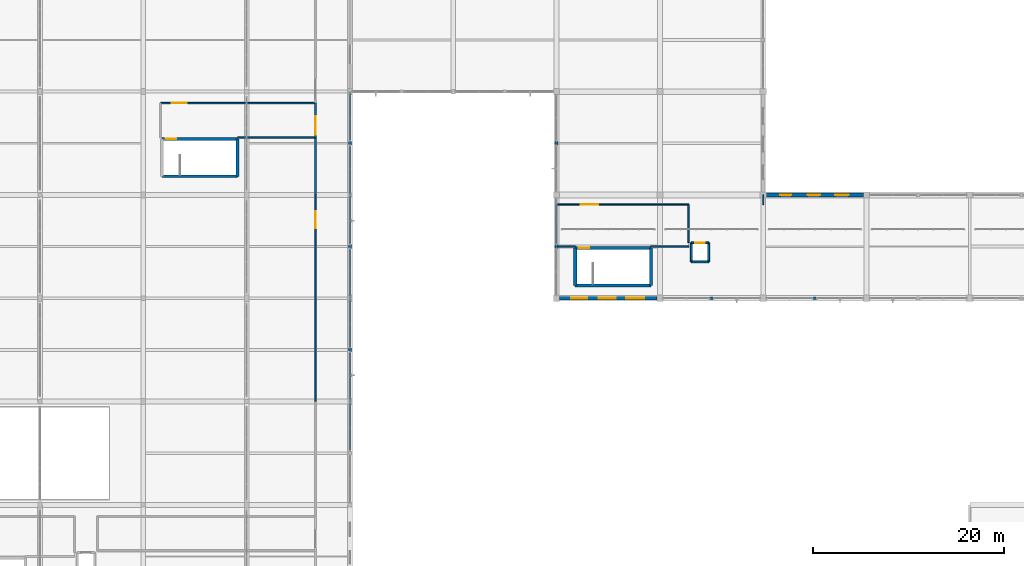
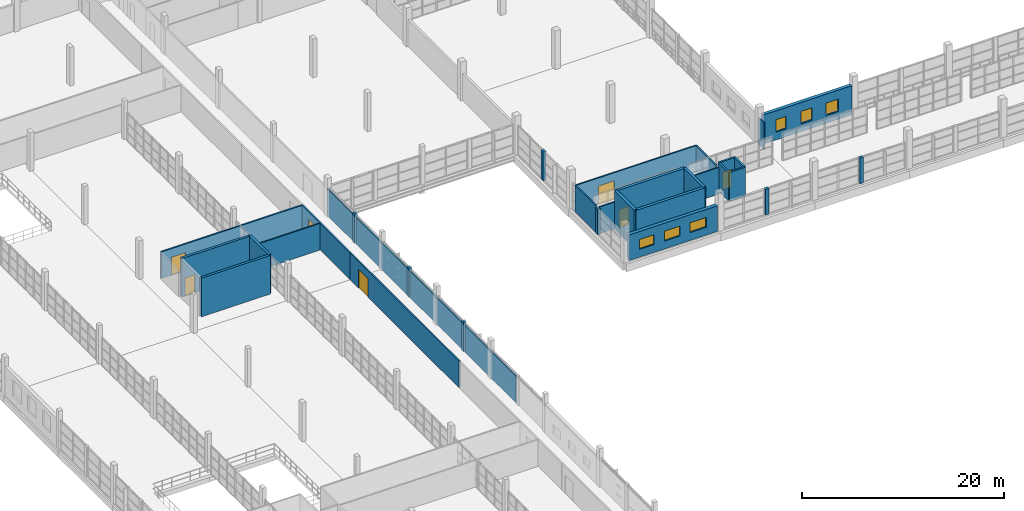
# One storey, part 104 of 142: 35 walls, 7 doors, 6 windows, 13 openings.
"""IFC4 building model written with IfcOpenShell, lengths in metres."""

from ifc_helpers import new_model, si_unit, direction, frame, frame_2d, origin, place, context, subcontext, project, spatial, rectangle, extrude, material, layer, layer_set, type_object, element, fill, save


model = new_model("IFC4")

# Units and contexts
model_context = context("Model", 3, precision=1e-05, world=origin(), true_north=direction((0.0, 1.0)))
body_context = subcontext(model_context, "Body", "Model", "MODEL_VIEW")
ifc_project = project(units=[si_unit("LENGTHUNIT", "METRE"), si_unit("AREAUNIT", "SQUARE_METRE"), si_unit("VOLUMEUNIT", "CUBIC_METRE"), si_unit("PLANEANGLEUNIT", "RADIAN"), si_unit("MASSUNIT", "GRAM", prefix="KILO")], contexts=[model_context])

# Site, building, storey
site_placement = place(None, origin())
site = spatial("IfcSite", under=ifc_project, at=site_placement, CompositionType="ELEMENT")
building_placement = place(site_placement, origin())
building = spatial("IfcBuilding", under=site, at=building_placement, Name="Zwinboog Wholesale Market", CompositionType="ELEMENT")
storey_placement = place(building_placement, frame((0.0, 0.0, 5.39990234375)))
storey = spatial("IfcBuildingStorey", under=building, at=storey_placement, Name="L01", CompositionType="ELEMENT", Elevation=5.39990234375)

# Wall, openings, windows
ifc_material_1 = material(Name="Precast concrete C45/55", Category="concrete")
ifc_layer_1 = layer(ifc_material_1, 0.389892578125)
ifc_layer_set_1 = layer_set([ifc_layer_1], Name="Precast concrete C45/55")
wall_type_1 = type_object("IfcWallType", Name="WT-EW-390", PredefinedType="STANDARD", material=ifc_layer_set_1)
wall_1_placement = place(storey_placement, frame((65.1201171875, 43.199951171875, 0.0), z_axis=(0.0, 0.0, 1.0), x_axis=(1.0, 0.0, 0.0)))
wall_1 = element("IfcWall", 1, at=wall_1_placement, inside=storey, type_object=wall_type_1, Name="EW-02 (WL-EW-L01-119)", PredefinedType="STANDARD", context=body_context, shape_type="SweptSolid", body=[
    extrude(rectangle(XDim=10.159912109375, YDim=0.389892578125, at=frame_2d((5.080078125, 0.0))), origin(), (0.0, 0.0, 1.0), 3.1201171875),
])
opening_1_placement = place(wall_1_placement, frame((1.22509765625, 0.0, 0.949951171875)))
opening_1 = element("IfcOpeningElement", 2, at=opening_1_placement, cuts=wall_1, Name="Opening WN-22", PredefinedType="OPENING", context=body_context, shape_type="SweptSolid", body=[
    extrude(rectangle(XDim=1.64990234375, YDim=1.199951171875, at=frame_2d((0.824951171875, 0.60009765625))), frame((0.0, 0.204833984375, 0.0), z_axis=(0.0, -1.0, 0.0), x_axis=(1.0, 0.0, 0.0)), (0.0, 0.0, 1.0), 0.409912109375),
])
opening_2_placement = place(wall_1_placement, frame((4.094970703125, 0.0, 0.949951171875)))
opening_2 = element("IfcOpeningElement", 3, at=opening_2_placement, cuts=wall_1, Name="Opening WN-23", PredefinedType="OPENING", context=body_context, shape_type="SweptSolid", body=[
    extrude(rectangle(XDim=1.77001953125, YDim=1.199951171875, at=frame_2d((0.885009765625, 0.60009765625))), frame((0.0, 0.204833984375, 0.0), z_axis=(0.0, -1.0, 0.0), x_axis=(1.0, 0.0, 0.0)), (0.0, 0.0, 1.0), 0.409912109375),
])
opening_3_placement = place(wall_1_placement, frame((6.965087890625, 0.0, 0.949951171875)))
opening_3 = element("IfcOpeningElement", 4, at=opening_3_placement, cuts=wall_1, Name="Opening WN-24", PredefinedType="OPENING", context=body_context, shape_type="SweptSolid", body=[
    extrude(rectangle(XDim=1.889892578125, YDim=1.199951171875, at=frame_2d((0.94482421875, 0.60009765625))), frame((0.0, 0.204833984375, 0.0), z_axis=(0.0, -1.0, 0.0), x_axis=(1.0, 0.0, 0.0)), (0.0, 0.0, 1.0), 0.409912109375),
])
ifc_material_2 = material(Name="Thermally broken aluminium low-e window", Category="aluminium")
window_type_1 = type_object("IfcWindowType", Name="WNT-22", PartitioningType="SINGLE_PANEL", PredefinedType="WINDOW", material=ifc_material_2)
window_1_placement = place(opening_1_placement, frame((1.64990234375, 0.0, 0.0), z_axis=(0.0, 0.0, 1.0), x_axis=(-1.0, 0.0, 0.0)))
window_1 = element("IfcWindow", 5, at=window_1_placement, inside=storey, type_object=window_type_1, Name="WN-22 (WIN-L01-0094)", OverallHeight=1.199951171875, OverallWidth=1.64990234375, PartitioningType="SINGLE_PANEL", PredefinedType="WINDOW", context=body_context, shape_type="SweptSolid", body=[
    extrude(rectangle(XDim=1.64990234375, YDim=1.199951171875, at=frame_2d((0.824951171875, 0.60009765625))), frame((0.0, 0.030029296875, 0.0), z_axis=(0.0, -1.0, 0.0), x_axis=(1.0, 0.0, 0.0)), (0.0, 0.0, 1.0), 0.06005859375),
])
fill(opening_1, window_1)
window_type_2 = type_object("IfcWindowType", Name="WNT-23", PartitioningType="SINGLE_PANEL", PredefinedType="WINDOW", material=ifc_material_2)
window_2_placement = place(opening_2_placement, frame((1.77001953125, 0.0, 0.0), z_axis=(0.0, 0.0, 1.0), x_axis=(-1.0, 0.0, 0.0)))
window_2 = element("IfcWindow", 6, at=window_2_placement, inside=storey, type_object=window_type_2, Name="WN-23 (WIN-L01-0095)", OverallHeight=1.199951171875, OverallWidth=1.77001953125, PartitioningType="SINGLE_PANEL", PredefinedType="WINDOW", context=body_context, shape_type="SweptSolid", body=[
    extrude(rectangle(XDim=1.77001953125, YDim=1.199951171875, at=frame_2d((0.885009765625, 0.60009765625))), frame((0.0, 0.030029296875, 0.0), z_axis=(0.0, -1.0, 0.0), x_axis=(1.0, 0.0, 0.0)), (0.0, 0.0, 1.0), 0.06005859375),
])
fill(opening_2, window_2)
window_type_3 = type_object("IfcWindowType", Name="WNT-24", PartitioningType="SINGLE_PANEL", PredefinedType="WINDOW", material=ifc_material_2)
window_3_placement = place(opening_3_placement, frame((1.889892578125, 0.0, 0.0), z_axis=(0.0, 0.0, 1.0), x_axis=(-1.0, 0.0, 0.0)))
window_3 = element("IfcWindow", 7, at=window_3_placement, inside=storey, type_object=window_type_3, Name="WN-24 (WIN-L01-0096)", OverallHeight=1.199951171875, OverallWidth=1.889892578125, PartitioningType="SINGLE_PANEL", PredefinedType="WINDOW", context=body_context, shape_type="SweptSolid", body=[
    extrude(rectangle(XDim=1.889892578125, YDim=1.199951171875, at=frame_2d((0.94482421875, 0.60009765625))), frame((0.0, 0.030029296875, 0.0), z_axis=(0.0, -1.0, 0.0), x_axis=(1.0, 0.0, 0.0)), (0.0, 0.0, 1.0), 0.06005859375),
])
fill(opening_3, window_3)

wall_2_placement = place(storey_placement, frame((86.719970703125, 54.0, 0.0), z_axis=(0.0, 0.0, 1.0), x_axis=(1.0, 0.0, 0.0)))
wall_2 = element("IfcWall", 8, at=wall_2_placement, inside=storey, type_object=wall_type_1, Name="EW-02 (WL-EW-L01-129)", PredefinedType="STANDARD", context=body_context, shape_type="SweptSolid", body=[
    extrude(rectangle(XDim=10.159912109375, YDim=0.389892578125, at=frame_2d((5.080078125, 0.0))), origin(), (0.0, 0.0, 1.0), 3.530029296875),
])
opening_4_placement = place(wall_2_placement, frame((1.465087890625, 0.0, 0.949951171875)))
opening_4 = element("IfcOpeningElement", 9, at=opening_4_placement, cuts=wall_2, Name="Opening WN-34", PredefinedType="OPENING", context=body_context, shape_type="SweptSolid", body=[
    extrude(rectangle(XDim=1.169921875, YDim=1.5, at=frame_2d((0.5849609375, 0.75))), frame((0.0, 0.204833984375, 0.0), z_axis=(0.0, -1.0, 0.0), x_axis=(1.0, 0.0, 0.0)), (0.0, 0.0, 1.0), 0.409912109375),
])
opening_5_placement = place(wall_2_placement, frame((4.3349609375, 0.0, 0.949951171875)))
opening_5 = element("IfcOpeningElement", 10, at=opening_5_placement, cuts=wall_2, Name="Opening WN-35", PredefinedType="OPENING", context=body_context, shape_type="SweptSolid", body=[
    extrude(rectangle(XDim=1.2900390625, YDim=1.5, at=frame_2d((0.64501953125, 0.75))), frame((0.0, 0.204833984375, 0.0), z_axis=(0.0, -1.0, 0.0), x_axis=(1.0, 0.0, 0.0)), (0.0, 0.0, 1.0), 0.409912109375),
])
opening_6_placement = place(wall_2_placement, frame((7.205078125, 0.0, 0.949951171875)))
opening_6 = element("IfcOpeningElement", 11, at=opening_6_placement, cuts=wall_2, Name="Opening WN-36", PredefinedType="OPENING", context=body_context, shape_type="SweptSolid", body=[
    extrude(rectangle(XDim=1.409912109375, YDim=1.5, at=frame_2d((0.705078125, 0.75))), frame((0.0, 0.204833984375, 0.0), z_axis=(0.0, -1.0, 0.0), x_axis=(1.0, 0.0, 0.0)), (0.0, 0.0, 1.0), 0.409912109375),
])
window_type_4 = type_object("IfcWindowType", Name="WNT-34", PartitioningType="SINGLE_PANEL", PredefinedType="WINDOW", material=ifc_material_2)
window_4_placement = place(opening_4_placement, origin())
window_4 = element("IfcWindow", 12, at=window_4_placement, inside=storey, type_object=window_type_4, Name="WN-34 (WIN-L01-0106)", OverallHeight=1.5, OverallWidth=1.169921875, PartitioningType="SINGLE_PANEL", PredefinedType="WINDOW", context=body_context, shape_type="SweptSolid", body=[
    extrude(rectangle(XDim=1.169921875, YDim=1.5, at=frame_2d((0.5849609375, 0.75))), frame((0.0, 0.030029296875, 0.0), z_axis=(0.0, -1.0, 0.0), x_axis=(1.0, 0.0, 0.0)), (0.0, 0.0, 1.0), 0.06005859375),
])
fill(opening_4, window_4)
window_type_5 = type_object("IfcWindowType", Name="WNT-35", PartitioningType="SINGLE_PANEL", PredefinedType="WINDOW", material=ifc_material_2)
window_5_placement = place(opening_5_placement, origin())
window_5 = element("IfcWindow", 13, at=window_5_placement, inside=storey, type_object=window_type_5, Name="WN-35 (WIN-L01-0107)", OverallHeight=1.5, OverallWidth=1.2900390625, PartitioningType="SINGLE_PANEL", PredefinedType="WINDOW", context=body_context, shape_type="SweptSolid", body=[
    extrude(rectangle(XDim=1.2900390625, YDim=1.5, at=frame_2d((0.64501953125, 0.75))), frame((0.0, 0.030029296875, 0.0), z_axis=(0.0, -1.0, 0.0), x_axis=(1.0, 0.0, 0.0)), (0.0, 0.0, 1.0), 0.06005859375),
])
fill(opening_5, window_5)
window_type_6 = type_object("IfcWindowType", Name="WNT-36", PartitioningType="SINGLE_PANEL", PredefinedType="WINDOW", material=ifc_material_2)
window_6_placement = place(opening_6_placement, origin())
window_6 = element("IfcWindow", 14, at=window_6_placement, inside=storey, type_object=window_type_6, Name="WN-36 (WIN-L01-0108)", OverallHeight=1.5, OverallWidth=1.409912109375, PartitioningType="SINGLE_PANEL", PredefinedType="WINDOW", context=body_context, shape_type="SweptSolid", body=[
    extrude(rectangle(XDim=1.409912109375, YDim=1.5, at=frame_2d((0.705078125, 0.75))), frame((0.0, 0.030029296875, 0.0), z_axis=(0.0, -1.0, 0.0), x_axis=(1.0, 0.0, 0.0)), (0.0, 0.0, 1.0), 0.06005859375),
])
fill(opening_6, window_6)

# Walls
ifc_layer_2 = layer(ifc_material_1, 0.304931640625)
ifc_layer_set_2 = layer_set([ifc_layer_2], Name="Precast concrete C45/55")
wall_type_2 = type_object("IfcWallType", Name="WT-EW-305", PredefinedType="STANDARD", material=ifc_layer_set_2)
wall_3_placement = place(storey_placement, frame((43.199951171875, 37.60009765625, 0.0), z_axis=(0.0, 0.0, 1.0), x_axis=(0.0, 1.0, 0.0)))
element("IfcWall", 15, at=wall_3_placement, inside=storey, type_object=wall_type_2, Name="EW-07 (WL-PIER-L01-111)", PredefinedType="STANDARD", context=body_context, shape_type="SweptSolid", body=[
    extrude(rectangle(XDim=0.39990234375, YDim=0.304931640625, at=frame_2d((0.199951171875, 0.0))), origin(), (0.0, 0.0, 1.0), 3.530029296875),
])
for number, where, z_axis, x_axis, name in (
    (16, (43.199951171875, 48.39990234375, 0.0), (0.0, 0.0, 1.0), (0.0, 1.0, 0.0), "EW-07 (WL-PIER-L01-112)"),
    (17, (43.199951171875, 59.199951171875, 0.0), (0.0, 0.0, 1.0), (0.0, 1.0, 0.0), "EW-07 (WL-PIER-L01-113)"),
):
    element("IfcWall", number, at=place(storey_placement, frame(where, z_axis=z_axis, x_axis=x_axis)), inside=storey, type_object=wall_type_2, Name=name, PredefinedType="STANDARD", context=body_context, shape_type="SweptSolid", body=[
        extrude(rectangle(XDim=0.400146484375, YDim=0.304931640625, at=frame_2d((0.2001953125, 0.0))), origin(), (0.0, 0.0, 1.0), 3.530029296875),
    ])
wall_4_placement = place(storey_placement, frame((64.800048828125, 48.39990234375, 0.0), z_axis=(0.0, 0.0, 1.0), x_axis=(0.0, 1.0, 0.0)))
element("IfcWall", 18, at=wall_4_placement, inside=storey, type_object=wall_type_2, Name="EW-07 (WL-PIER-L01-120)", PredefinedType="STANDARD", context=body_context, shape_type="SweptSolid", body=[
    extrude(rectangle(XDim=0.400146484375, YDim=0.304931640625, at=frame_2d((0.2001953125, 0.0))), origin(), (0.0, 0.0, 1.0), 3.1201171875),
])
wall_5_placement = place(storey_placement, frame((64.800048828125, 59.199951171875, 0.0), z_axis=(0.0, 0.0, 1.0), x_axis=(0.0, 1.0, 0.0)))
element("IfcWall", 19, at=wall_5_placement, inside=storey, type_object=wall_type_2, Name="EW-07 (WL-PIER-L01-121)", PredefinedType="STANDARD", context=body_context, shape_type="SweptSolid", body=[
    extrude(rectangle(XDim=0.400146484375, YDim=0.304931640625, at=frame_2d((0.2001953125, 0.0))), origin(), (0.0, 0.0, 1.0), 3.530029296875),
])
for number, where, z_axis, x_axis, name in (
    (20, (80.800048828125, 43.199951171875, 0.0), (0.0, 0.0, 1.0), (1.0, 0.0, 0.0), "EW-07 (WL-PIER-L01-123)"),
    (21, (91.60009765625, 43.199951171875, 0.0), (0.0, 0.0, 1.0), (1.0, 0.0, 0.0), "EW-07 (WL-PIER-L01-128)"),
):
    element("IfcWall", number, at=place(storey_placement, frame(where, z_axis=z_axis, x_axis=x_axis)), inside=storey, type_object=wall_type_2, Name=name, PredefinedType="STANDARD", context=body_context, shape_type="SweptSolid", body=[
        extrude(rectangle(XDim=0.39990234375, YDim=0.304931640625, at=frame_2d((0.199951171875, 0.0))), origin(), (0.0, 0.0, 1.0), 3.1201171875),
    ])
ifc_material_3 = material(Name="Concrete C40/50", Category="concrete")
ifc_layer_3 = layer(ifc_material_3, 0.280029296875)
ifc_layer_set_3 = layer_set([ifc_layer_3], Name="Concrete C40/50")
wall_type_3 = type_object("IfcWallType", Name="WT-SW-280", PredefinedType="SHEAR", material=ifc_layer_set_3)
wall_6_placement = place(storey_placement, frame((23.550048828125, 55.949951171875, 0.0), z_axis=(0.0, 0.0, 1.0), x_axis=(1.0, 0.0, 0.0)))
element("IfcWall", 22, at=wall_6_placement, inside=storey, type_object=wall_type_3, Name="SW-01 (WL-SW-L01-165)", PredefinedType="SHEAR", context=body_context, shape_type="SweptSolid", body=[
    extrude(rectangle(XDim=7.89990234375, YDim=0.280029296875, at=frame_2d((3.949951171875, 0.0))), origin(), (0.0, 0.0, 1.0), 4.68017578125),
])

# Wall, opening, door
wall_7_placement = place(storey_placement, frame((23.550048828125, 59.85009765625, 0.0), z_axis=(0.0, 0.0, 1.0), x_axis=(1.0, 0.0, 0.0)))
wall_7 = element("IfcWall", 23, at=wall_7_placement, inside=storey, type_object=wall_type_3, Name="SW-01 (WL-SW-L01-166)", PredefinedType="SHEAR", context=body_context, shape_type="SweptSolid", body=[
    extrude(rectangle(XDim=7.89990234375, YDim=0.280029296875, at=frame_2d((3.949951171875, 0.0))), origin(), (0.0, 0.0, 1.0), 4.68017578125),
])
opening_7_placement = place(wall_7_placement, frame((0.3798828125, 0.0, 0.0)))
opening_7 = element("IfcOpeningElement", 24, at=opening_7_placement, cuts=wall_7, Name="Opening FD-0042", PredefinedType="OPENING", context=body_context, shape_type="SweptSolid", body=[
    extrude(rectangle(XDim=1.10009765625, YDim=2.199951171875, at=frame_2d((0.550048828125, 1.10009765625))), frame((0.0, 0.14990234375, 0.0), z_axis=(0.0, -1.0, 0.0), x_axis=(1.0, 0.0, 0.0)), (0.0, 0.0, 1.0), 0.300048828125),
])
ifc_material_4 = material(Name="Timber and powder-coated steel door leaf", Category="steel")
door_type_1 = type_object("IfcDoorType", Name="IDT-FD-02", OperationType="NOTDEFINED", PredefinedType="DOOR", material=ifc_material_4)
door_1_placement = place(opening_7_placement, origin())
door_1 = element("IfcDoor", 25, at=door_1_placement, inside=storey, type_object=door_type_1, Name="Core Fire Door FD-0042", OperationType="SINGLE_SWING_LEFT", OverallHeight=2.199951171875, OverallWidth=1.10009765625, PredefinedType="DOOR", context=body_context, shape_type="SweptSolid", body=[
    extrude(rectangle(XDim=1.10009765625, YDim=2.199951171875, at=frame_2d((0.550048828125, 1.10009765625))), frame((0.0, 0.02490234375, 0.0), z_axis=(0.0, -1.0, 0.0), x_axis=(1.0, 0.0, 0.0)), (0.0, 0.0, 1.0), 0.050048828125),
])
fill(opening_7, door_1)

# Walls
wall_8_placement = place(storey_placement, frame((31.449951171875, 55.949951171875, 0.0), z_axis=(0.0, 0.0, 1.0), x_axis=(0.0, 1.0, 0.0)))
element("IfcWall", 26, at=wall_8_placement, inside=storey, type_object=wall_type_3, Name="SW-01 (WL-SW-L01-168)", PredefinedType="SHEAR", context=body_context, shape_type="SweptSolid", body=[
    extrude(rectangle(XDim=3.900146484375, YDim=0.280029296875, at=frame_2d((1.9501953125, 0.0))), origin(), (0.0, 0.0, 1.0), 4.68017578125),
])
ifc_layer_4 = layer(ifc_material_3, 0.320068359375)
ifc_layer_set_4 = layer_set([ifc_layer_4], Name="Concrete C40/50")
wall_type_4 = type_object("IfcWallType", Name="WT-SW-320", PredefinedType="SHEAR", material=ifc_layer_set_4)
wall_9_placement = place(storey_placement, frame((66.75, 44.550048828125, 0.0), z_axis=(0.0, 0.0, 1.0), x_axis=(1.0, 0.0, 0.0)))
element("IfcWall", 27, at=wall_9_placement, inside=storey, type_object=wall_type_4, Name="SW-03 (WL-SW-L01-045)", PredefinedType="SHEAR", context=body_context, shape_type="SweptSolid", body=[
    extrude(rectangle(XDim=7.89990234375, YDim=0.320068359375, at=frame_2d((3.949951171875, 0.0))), origin(), (0.0, 0.0, 1.0), 4.68017578125),
])

# Wall, opening, door
wall_10_placement = place(storey_placement, frame((66.75, 48.449951171875, 0.0), z_axis=(0.0, 0.0, 1.0), x_axis=(1.0, 0.0, 0.0)))
wall_10 = element("IfcWall", 28, at=wall_10_placement, inside=storey, type_object=wall_type_4, Name="SW-03 (WL-SW-L01-046)", PredefinedType="SHEAR", context=body_context, shape_type="SweptSolid", body=[
    extrude(rectangle(XDim=7.89990234375, YDim=0.320068359375, at=frame_2d((3.949951171875, 0.0))), origin(), (0.0, 0.0, 1.0), 4.68017578125),
])
opening_8_placement = place(wall_10_placement, frame((0.3798828125, 0.0, 0.0)))
opening_8 = element("IfcOpeningElement", 29, at=opening_8_placement, cuts=wall_10, Name="Opening FD-0012", PredefinedType="OPENING", context=body_context, shape_type="SweptSolid", body=[
    extrude(rectangle(XDim=1.10009765625, YDim=2.199951171875, at=frame_2d((0.550048828125, 1.10009765625))), frame((0.0, 0.169921875, 0.0), z_axis=(0.0, -1.0, 0.0), x_axis=(1.0, 0.0, 0.0)), (0.0, 0.0, 1.0), 0.340087890625),
])
door_2_placement = place(opening_8_placement, origin())
door_2 = element("IfcDoor", 30, at=door_2_placement, inside=storey, type_object=door_type_1, Name="Core Fire Door FD-0012", OperationType="SINGLE_SWING_LEFT", OverallHeight=2.199951171875, OverallWidth=1.10009765625, PredefinedType="DOOR", context=body_context, shape_type="SweptSolid", body=[
    extrude(rectangle(XDim=1.10009765625, YDim=2.199951171875, at=frame_2d((0.550048828125, 1.10009765625))), frame((0.0, 0.02490234375, 0.0), z_axis=(0.0, -1.0, 0.0), x_axis=(1.0, 0.0, 0.0)), (0.0, 0.0, 1.0), 0.050048828125),
])
fill(opening_8, door_2)

# Walls
for number, where, z_axis, x_axis, name in (
    (31, (66.75, 44.550048828125, 0.0), (0.0, 0.0, 1.0), (0.0, 1.0, 0.0), "SW-03 (WL-SW-L01-047)"),
    (32, (74.64990234375, 44.550048828125, 0.0), (0.0, 0.0, 1.0), (0.0, 1.0, 0.0), "SW-03 (WL-SW-L01-048)"),
):
    element("IfcWall", number, at=place(storey_placement, frame(where, z_axis=z_axis, x_axis=x_axis)), inside=storey, type_object=wall_type_4, Name=name, PredefinedType="SHEAR", context=body_context, shape_type="SweptSolid", body=[
        extrude(rectangle(XDim=3.89990234375, YDim=0.320068359375, at=frame_2d((1.949951171875, 0.0))), origin(), (0.0, 0.0, 1.0), 4.68017578125),
    ])
ifc_layer_5 = layer(ifc_material_1, 0.199951171875)
ifc_layer_set_5 = layer_set([ifc_layer_5], Name="Precast concrete C45/55")
wall_type_5 = type_object("IfcWallType", Name="WT-IW-200", PredefinedType="SOLIDWALL", material=ifc_layer_set_5)
wall_11_placement = place(storey_placement, frame((78.89990234375, 47.0, 0.0), z_axis=(0.0, 0.0, 1.0), x_axis=(1.0, 0.0, 0.0)))
element("IfcWall", 33, at=wall_11_placement, inside=storey, type_object=wall_type_5, Name="IW-60 (WL-LSH-L01-189)", PredefinedType="SOLIDWALL", context=body_context, shape_type="SweptSolid", body=[
    extrude(rectangle(XDim=1.800048828125, YDim=0.199951171875, at=frame_2d((0.89990234375, 0.0))), origin(), (0.0, 0.0, 1.0), 3.5),
])

# Wall, opening, door
wall_12_placement = place(storey_placement, frame((78.89990234375, 49.0, 0.0), z_axis=(0.0, 0.0, 1.0), x_axis=(1.0, 0.0, 0.0)))
wall_12 = element("IfcWall", 34, at=wall_12_placement, inside=storey, type_object=wall_type_5, Name="IW-60 (WL-LSH-L01-190)", PredefinedType="SOLIDWALL", context=body_context, shape_type="SweptSolid", body=[
    extrude(rectangle(XDim=1.800048828125, YDim=0.199951171875, at=frame_2d((0.89990234375, 0.0))), origin(), (0.0, 0.0, 1.0), 3.5),
])
opening_9_placement = place(wall_12_placement, frame((0.39990234375, 0.0, 0.0)))
opening_9 = element("IfcOpeningElement", 35, at=opening_9_placement, cuts=wall_12, Name="Opening LD-006", PredefinedType="OPENING", context=body_context, shape_type="SweptSolid", body=[
    extrude(rectangle(XDim=1.0, YDim=2.14990234375, at=frame_2d((0.5, 1.074951171875))), frame((0.0, 0.10986328125, 0.0), z_axis=(0.0, -1.0, 0.0), x_axis=(1.0, 0.0, 0.0)), (0.0, 0.0, 1.0), 0.219970703125),
])
door_type_2 = type_object("IfcDoorType", Name="IDT-LD-100", OperationType="DOUBLE_DOOR_SLIDING", PredefinedType="DOOR", material=ifc_material_4)
door_3_placement = place(opening_9_placement, origin())
door_3 = element("IfcDoor", 36, at=door_3_placement, inside=storey, type_object=door_type_2, Name="Lift Landing Door LD-006 (LP-03)", OperationType="DOUBLE_DOOR_SLIDING", OverallHeight=2.14990234375, OverallWidth=1.0, PredefinedType="DOOR", context=body_context, shape_type="SweptSolid", body=[
    extrude(rectangle(XDim=1.0, YDim=2.14990234375, at=frame_2d((0.5, 1.074951171875))), frame((0.0, 0.02490234375, 0.0), z_axis=(0.0, -1.0, 0.0), x_axis=(1.0, 0.0, 0.0)), (0.0, 0.0, 1.0), 0.050048828125),
])
fill(opening_9, door_3)

# Walls
for number, where, z_axis, x_axis, name in (
    (37, (78.89990234375, 47.0, 0.0), (0.0, 0.0, 1.0), (0.0, 1.0, 0.0), "IW-60 (WL-LSH-L01-191)"),
    (38, (80.699951171875, 47.0, 0.0), (0.0, 0.0, 1.0), (0.0, 1.0, 0.0), "IW-60 (WL-LSH-L01-192)"),
):
    element("IfcWall", number, at=place(storey_placement, frame(where, z_axis=z_axis, x_axis=x_axis)), inside=storey, type_object=wall_type_5, Name=name, PredefinedType="SOLIDWALL", context=body_context, shape_type="SweptSolid", body=[
        extrude(rectangle(XDim=2.0, YDim=0.199951171875, at=frame_2d((1.0, 0.0))), origin(), (0.0, 0.0, 1.0), 3.5),
    ])
ifc_material_5 = material(Name="Hygienic washable stud partition")
ifc_layer_6 = layer(ifc_material_5, 0.137939453125)
ifc_layer_set_6 = layer_set([ifc_layer_6], Name="Hygienic washable stud partition")
wall_type_6 = type_object("IfcWallType", Name="WT-PT-138", PredefinedType="PARTITIONING", material=ifc_layer_set_6)
wall_13_placement = place(storey_placement, frame((86.39990234375, 53.0, 0.0), z_axis=(0.0, 0.0, 1.0), x_axis=(0.0, 1.0, 0.0)))
element("IfcWall", 39, at=wall_13_placement, inside=storey, type_object=wall_type_6, Name="PW-03 (WL-IN-L01-0201)", PredefinedType="PARTITIONING", context=body_context, shape_type="SweptSolid", body=[
    extrude(rectangle(XDim=1.0, YDim=0.137939453125, at=frame_2d((0.5, 0.0))), origin(), (0.0, 0.0, 1.0), 3.22998046875),
])

# Wall, opening, door
ifc_material_6 = material(Name="Fire-rated corridor stud partition")
ifc_layer_7 = layer(ifc_material_6, 0.154052734375)
ifc_layer_set_7 = layer_set([ifc_layer_7], Name="Fire-rated corridor stud partition")
wall_type_7 = type_object("IfcWallType", Name="WT-PT-154", PredefinedType="PARTITIONING", material=ifc_layer_set_7)
wall_14_placement = place(storey_placement, frame((39.60009765625, 32.39990234375, 0.0), z_axis=(0.0, 0.0, 1.0), x_axis=(0.0, 1.0, 0.0)))
wall_14 = element("IfcWall", 40, at=wall_14_placement, inside=storey, type_object=wall_type_7, Name="PW-04 (WL-IN-L01-0115)", PredefinedType="PARTITIONING", context=body_context, shape_type="SweptSolid", body=[
    extrude(rectangle(XDim=21.60009765625, YDim=0.154052734375, at=frame_2d((10.800048828125, 0.0))), origin(), (0.0, 0.0, 1.0), 3.22998046875),
])
opening_10_placement = place(wall_14_placement, frame((18.097900390625, 0.0, 0.0)))
opening_10 = element("IfcOpeningElement", 41, at=opening_10_placement, cuts=wall_14, Name="Opening IDF-0046", PredefinedType="OPENING", context=body_context, shape_type="SweptSolid", body=[
    extrude(rectangle(XDim=1.820068359375, YDim=2.25, at=frame_2d((0.91015625, 1.125))), frame((0.0, 0.0869140625, 0.0), z_axis=(0.0, -1.0, 0.0), x_axis=(1.0, 0.0, 0.0)), (0.0, 0.0, 1.0), 0.174072265625),
])
door_type_3 = type_object("IfcDoorType", Name="IDT-FD-04", OperationType="DOUBLE_DOOR_SINGLE_SWING", PredefinedType="DOOR", material=ifc_material_4)
door_4_placement = place(opening_10_placement, origin())
door_4 = element("IfcDoor", 42, at=door_4_placement, inside=storey, type_object=door_type_3, Name="Interior Door IDF-0046", OperationType="DOUBLE_DOOR_SINGLE_SWING", OverallHeight=2.25, OverallWidth=1.820068359375, PredefinedType="DOOR", context=body_context, shape_type="SweptSolid", body=[
    extrude(rectangle(XDim=1.820068359375, YDim=2.25, at=frame_2d((0.91015625, 1.125))), frame((0.0, 0.02490234375, 0.0), z_axis=(0.0, -1.0, 0.0), x_axis=(1.0, 0.0, 0.0)), (0.0, 0.0, 1.0), 0.050048828125),
])
fill(opening_10, door_4)

wall_15_placement = place(storey_placement, frame((64.800048828125, 53.0, 0.0), z_axis=(0.0, 0.0, 1.0), x_axis=(1.0, 0.0, 0.0)))
wall_15 = element("IfcWall", 43, at=wall_15_placement, inside=storey, type_object=wall_type_7, Name="PW-04 (WL-IN-L01-0137)", PredefinedType="PARTITIONING", context=body_context, shape_type="SweptSolid", body=[
    extrude(rectangle(XDim=13.800048828125, YDim=0.154052734375, at=frame_2d((6.89990234375, 0.0))), origin(), (0.0, 0.0, 1.0), 3.22998046875),
])
opening_11_placement = place(wall_15_placement, frame((2.5400390625, 0.0, 0.0)))
opening_11 = element("IfcOpeningElement", 44, at=opening_11_placement, cuts=wall_15, Name="Opening IDF-0064", PredefinedType="OPENING", context=body_context, shape_type="SweptSolid", body=[
    extrude(rectangle(XDim=1.820068359375, YDim=2.25, at=frame_2d((0.91015625, 1.125))), frame((0.0, 0.0869140625, 0.0), z_axis=(0.0, -1.0, 0.0), x_axis=(1.0, 0.0, 0.0)), (0.0, 0.0, 1.0), 0.174072265625),
])
door_5_placement = place(opening_11_placement, origin())
door_5 = element("IfcDoor", 45, at=door_5_placement, inside=storey, type_object=door_type_3, Name="Interior Door IDF-0064", OperationType="DOUBLE_DOOR_SINGLE_SWING", OverallHeight=2.25, OverallWidth=1.820068359375, PredefinedType="DOOR", context=body_context, shape_type="SweptSolid", body=[
    extrude(rectangle(XDim=1.820068359375, YDim=2.25, at=frame_2d((0.91015625, 1.125))), frame((0.0, 0.02490234375, 0.0), z_axis=(0.0, -1.0, 0.0), x_axis=(1.0, 0.0, 0.0)), (0.0, 0.0, 1.0), 0.050048828125),
])
fill(opening_11, door_5)

# Walls
wall_16_placement = place(storey_placement, frame((31.469970703125, 60.0, 0.0), z_axis=(0.0, 0.0, 1.0), x_axis=(1.0, 0.0, 0.0)))
element("IfcWall", 46, at=wall_16_placement, inside=storey, type_object=wall_type_7, Name="PW-04 (WL-IN-L01-0163)", PredefinedType="PARTITIONING", context=body_context, shape_type="SweptSolid", body=[
    extrude(rectangle(XDim=8.130126953125, YDim=0.154052734375, at=frame_2d((4.06494140625, 0.0))), origin(), (0.0, 0.0, 1.0), 3.22998046875),
])
for number, where, z_axis, x_axis, name in (
    (47, (43.199951171875, 27.3525390625, 0.0), (0.0, 0.0, 1.0), (0.0, 1.0, 0.0), "PW-04 (WL-IN-L01-0174)"),
    (48, (43.199951171875, 38.152587890625, 0.0), (0.0, 0.0, 1.0), (0.0, 1.0, 0.0), "PW-04 (WL-IN-L01-0175)"),
):
    element("IfcWall", number, at=place(storey_placement, frame(where, z_axis=z_axis, x_axis=x_axis)), inside=storey, type_object=wall_type_7, Name=name, PredefinedType="PARTITIONING", context=body_context, shape_type="SweptSolid", body=[
        extrude(rectangle(XDim=10.094970703125, YDim=0.154052734375, at=frame_2d((5.04736328125, 0.0))), origin(), (0.0, 0.0, 1.0), 3.22998046875),
    ])
wall_17_placement = place(storey_placement, frame((43.199951171875, 48.952392578125, 0.0), z_axis=(0.0, 0.0, 1.0), x_axis=(0.0, 1.0, 0.0)))
element("IfcWall", 49, at=wall_17_placement, inside=storey, type_object=wall_type_7, Name="PW-04 (WL-IN-L01-0176)", PredefinedType="PARTITIONING", context=body_context, shape_type="SweptSolid", body=[
    extrude(rectangle(XDim=10.09521484375, YDim=0.154052734375, at=frame_2d((5.047607421875, 0.0))), origin(), (0.0, 0.0, 1.0), 3.22998046875),
])
wall_18_placement = place(storey_placement, frame((43.199951171875, 59.75244140625, 0.0), z_axis=(0.0, 0.0, 1.0), x_axis=(0.0, 1.0, 0.0)))
element("IfcWall", 50, at=wall_18_placement, inside=storey, type_object=wall_type_7, Name="PW-04 (WL-IN-L01-0177)", PredefinedType="PARTITIONING", context=body_context, shape_type="SweptSolid", body=[
    extrude(rectangle(XDim=5.047607421875, YDim=0.154052734375, at=frame_2d((2.52392578125, 0.0))), origin(), (0.0, 0.0, 1.0), 3.22998046875),
])
wall_19_placement = place(storey_placement, frame((64.9326171875, 48.60009765625, 0.0), z_axis=(0.0, 0.0, 1.0), x_axis=(1.0, 0.0, 0.0)))
element("IfcWall", 51, at=wall_19_placement, inside=storey, type_object=wall_type_7, Name="PW-04 (WL-IN-L01-0193)", PredefinedType="PARTITIONING", context=body_context, shape_type="SweptSolid", body=[
    extrude(rectangle(XDim=1.79736328125, YDim=0.154052734375, at=frame_2d((0.898681640625, 0.0))), origin(), (0.0, 0.0, 1.0), 3.22998046875),
])
wall_20_placement = place(storey_placement, frame((74.669921875, 48.60009765625, 0.0), z_axis=(0.0, 0.0, 1.0), x_axis=(1.0, 0.0, 0.0)))
element("IfcWall", 52, at=wall_20_placement, inside=storey, type_object=wall_type_7, Name="PW-04 (WL-IN-L01-0194)", PredefinedType="PARTITIONING", context=body_context, shape_type="SweptSolid", body=[
    extrude(rectangle(XDim=3.93017578125, YDim=0.154052734375, at=frame_2d((1.965087890625, 0.0))), origin(), (0.0, 0.0, 1.0), 3.22998046875),
])
wall_21_placement = place(storey_placement, frame((64.800048828125, 48.952392578125, 0.0), z_axis=(0.0, 0.0, 1.0), x_axis=(0.0, 1.0, 0.0)))
element("IfcWall", 53, at=wall_21_placement, inside=storey, type_object=wall_type_7, Name="PW-04 (WL-IN-L01-0195)", PredefinedType="PARTITIONING", context=body_context, shape_type="SweptSolid", body=[
    extrude(rectangle(XDim=4.047607421875, YDim=0.154052734375, at=frame_2d((2.02392578125, 0.0))), origin(), (0.0, 0.0, 1.0), 3.22998046875),
])

# Wall, opening, door
ifc_material_7 = material(Name="Laboratory acoustic partition")
ifc_layer_8 = layer(ifc_material_7, 0.16796875)
ifc_layer_set_8 = layer_set([ifc_layer_8], Name="Laboratory acoustic partition")
wall_type_8 = type_object("IfcWallType", Name="WT-PT-168", PredefinedType="PARTITIONING", material=ifc_layer_set_8)
wall_22_placement = place(storey_placement, frame((23.39990234375, 63.60009765625, 0.0), z_axis=(0.0, 0.0, 1.0), x_axis=(1.0, 0.0, 0.0)))
wall_22 = element("IfcWall", 54, at=wall_22_placement, inside=storey, type_object=wall_type_8, Name="PW-05 (WL-IN-L01-0112)", PredefinedType="PARTITIONING", context=body_context, shape_type="SweptSolid", body=[
    extrude(rectangle(XDim=16.2001953125, YDim=0.16796875, at=frame_2d((8.10009765625, 0.0))), origin(), (0.0, 0.0, 1.0), 3.22998046875),
])
opening_12_placement = place(wall_22_placement, frame((1.14404296875, 0.0, 0.0)))
opening_12 = element("IfcOpeningElement", 55, at=opening_12_placement, cuts=wall_22, Name="Opening IDF-0043", PredefinedType="OPENING", context=body_context, shape_type="SweptSolid", body=[
    extrude(rectangle(XDim=1.60009765625, YDim=2.199951171875, at=frame_2d((0.800048828125, 1.10009765625))), frame((0.0, 0.093994140625, 0.0), z_axis=(0.0, -1.0, 0.0), x_axis=(1.0, 0.0, 0.0)), (0.0, 0.0, 1.0), 0.18798828125),
])
door_type_4 = type_object("IfcDoorType", Name="IDT-FD-03", OperationType="DOUBLE_DOOR_SINGLE_SWING", PredefinedType="DOOR", material=ifc_material_4)
door_6_placement = place(opening_12_placement, origin())
door_6 = element("IfcDoor", 56, at=door_6_placement, inside=storey, type_object=door_type_4, Name="Interior Door IDF-0043", OperationType="DOUBLE_DOOR_SINGLE_SWING", OverallHeight=2.199951171875, OverallWidth=1.60009765625, PredefinedType="DOOR", context=body_context, shape_type="SweptSolid", body=[
    extrude(rectangle(XDim=1.60009765625, YDim=2.199951171875, at=frame_2d((0.800048828125, 1.10009765625))), frame((0.0, 0.02490234375, 0.0), z_axis=(0.0, -1.0, 0.0), x_axis=(1.0, 0.0, 0.0)), (0.0, 0.0, 1.0), 0.050048828125),
])
fill(opening_12, door_6)

wall_23_placement = place(storey_placement, frame((39.60009765625, 60.0, 0.0), z_axis=(0.0, 0.0, 1.0), x_axis=(0.0, 1.0, 0.0)))
wall_23 = element("IfcWall", 57, at=wall_23_placement, inside=storey, type_object=wall_type_8, Name="PW-05 (WL-IN-L01-0116)", PredefinedType="PARTITIONING", context=body_context, shape_type="SweptSolid", body=[
    extrude(rectangle(XDim=3.60009765625, YDim=0.16796875, at=frame_2d((1.800048828125, 0.0))), origin(), (0.0, 0.0, 1.0), 3.22998046875),
])
opening_13_placement = place(wall_23_placement, frame((0.280029296875, 0.0, 0.0)))
opening_13 = element("IfcOpeningElement", 58, at=opening_13_placement, cuts=wall_23, Name="Opening IDF-0047", PredefinedType="OPENING", context=body_context, shape_type="SweptSolid", body=[
    extrude(rectangle(XDim=1.9599609375, YDim=2.300048828125, at=frame_2d((0.97998046875, 1.14990234375))), frame((0.0, 0.093994140625, 0.0), z_axis=(0.0, -1.0, 0.0), x_axis=(1.0, 0.0, 0.0)), (0.0, 0.0, 1.0), 0.18798828125),
])
door_type_5 = type_object("IfcDoorType", Name="IDT-FD-05", OperationType="DOUBLE_DOOR_SINGLE_SWING", PredefinedType="DOOR", material=ifc_material_4)
door_7_placement = place(opening_13_placement, origin())
door_7 = element("IfcDoor", 59, at=door_7_placement, inside=storey, type_object=door_type_5, Name="Interior Door IDF-0047", OperationType="DOUBLE_DOOR_SINGLE_SWING", OverallHeight=2.300048828125, OverallWidth=1.9599609375, PredefinedType="DOOR", context=body_context, shape_type="SweptSolid", body=[
    extrude(rectangle(XDim=1.9599609375, YDim=2.300048828125, at=frame_2d((0.97998046875, 1.14990234375))), frame((0.0, 0.02490234375, 0.0), z_axis=(0.0, -1.0, 0.0), x_axis=(1.0, 0.0, 0.0)), (0.0, 0.0, 1.0), 0.050048828125),
])
fill(opening_13, door_7)

# Walls
wall_24_placement = place(storey_placement, frame((39.60009765625, 54.0, 0.0), z_axis=(0.0, 0.0, 1.0), x_axis=(0.0, 1.0, 0.0)))
element("IfcWall", 60, at=wall_24_placement, inside=storey, type_object=wall_type_8, Name="PW-05 (WL-IN-L01-0168)", PredefinedType="PARTITIONING", context=body_context, shape_type="SweptSolid", body=[
    extrude(rectangle(XDim=6.0, YDim=0.16796875, at=frame_2d((3.0, 0.0))), origin(), (0.0, 0.0, 1.0), 3.22998046875),
])
wall_25_placement = place(storey_placement, frame((78.60009765625, 49.02001953125, 0.0), z_axis=(0.0, 0.0, 1.0), x_axis=(0.0, 1.0, 0.0)))
element("IfcWall", 61, at=wall_25_placement, inside=storey, type_object=wall_type_8, Name="PW-05 (WL-IN-L01-0200)", PredefinedType="PARTITIONING", context=body_context, shape_type="SweptSolid", body=[
    extrude(rectangle(XDim=3.97998046875, YDim=0.16796875, at=frame_2d((1.989990234375, 0.0))), origin(), (0.0, 0.0, 1.0), 3.22998046875),
])

save(model, "model.ifc")
